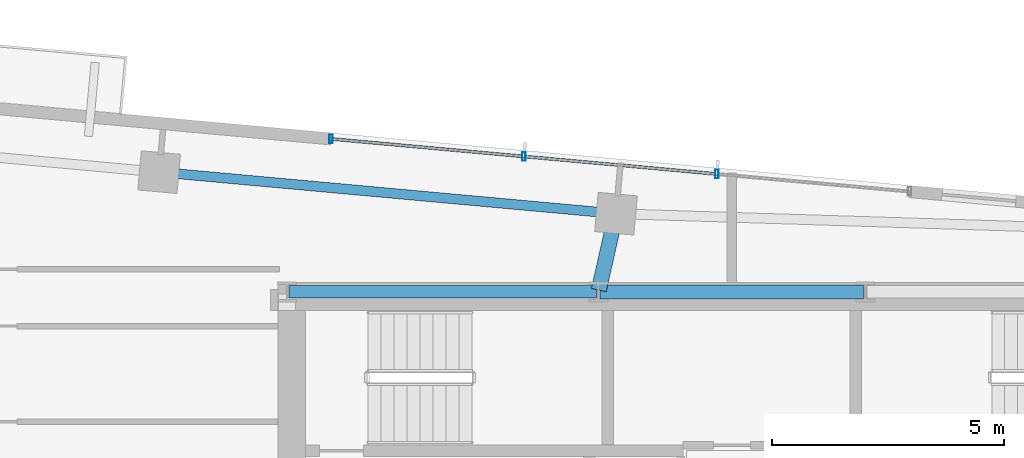
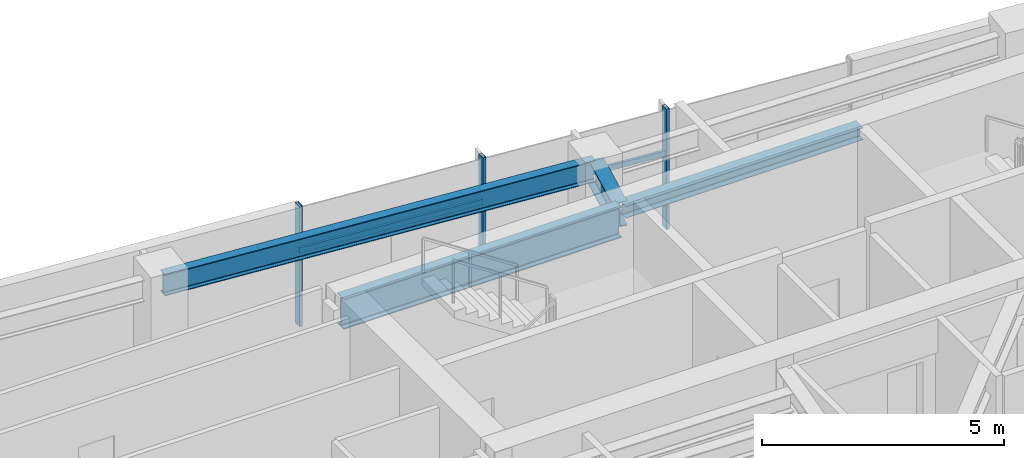
# One storey, part 10 of 22: 5 members, 4 beams, 1 element without a shape of its own.
"""IFC4 building model written with IfcOpenShell, lengths in metres."""

from ifc_helpers import new_model, si_unit, direction, frame, origin, origin_2d, place, context, subcontext, project, spatial, hollow_rectangle, i_section, extrude, source, transform, mapped, material, material_profile, profile_set, type_object, type_shapes, element, aggregate, save


model = new_model("IFC4")

# Units and contexts
model_context = context("Model", 3, precision=1e-05, world=origin(), true_north=direction((0.0, 1.0)))
body_context = subcontext(model_context, "Body", "Model", "MODEL_VIEW")
ifc_project = project(units=[si_unit("LENGTHUNIT", "METRE"), si_unit("AREAUNIT", "SQUARE_METRE"), si_unit("VOLUMEUNIT", "CUBIC_METRE"), si_unit("PLANEANGLEUNIT", "RADIAN"), si_unit("MASSUNIT", "GRAM", prefix="KILO")], contexts=[model_context])

# Site, building, storey
site_placement = place(None, origin())
site = spatial("IfcSite", under=ifc_project, at=site_placement, CompositionType="ELEMENT")
building_placement = place(site_placement, origin())
building = spatial("IfcBuilding", under=site, at=building_placement, Name="Astriad Promenade Condominiums", CompositionType="ELEMENT")
storey_placement = place(building_placement, frame((0.0, 0.0, 243.0)))
storey = spatial("IfcBuildingStorey", under=building, at=storey_placement, Name="L70", CompositionType="ELEMENT", Elevation=243.0)

# Beams
ifc_material_1 = material(Name="Steel ASTM A992 Grade 50", Category="steel")
ifc_material_profile_1 = material_profile(ifc_material_1, i_section(OverallWidth=0.267822265625, OverallDepth=0.76953125, WebThickness=0.015625, FlangeThickness=0.025390625, FilletRadius=0.021484375, at=origin_2d()), Name="W30X132")
ifc_profile_set_1 = profile_set([ifc_material_profile_1], Name="Steel ASTM A992 Grade 50")
beam_type_1 = type_object("IfcBeamType", Name="STEEL FLOOR GIRDER W30X132", PredefinedType="BEAM", material=ifc_profile_set_1)
shared_shape_1 = source(origin(), body_context, "Body", "SweptSolid", [
    extrude(i_section(OverallWidth=0.267822265625, OverallDepth=0.76953125, WebThickness=0.015625, FlangeThickness=0.025390625, FilletRadius=0.021484375, at=origin_2d()), origin(), (0.0, 0.0, 1.0), 6.64013671875),
])
type_shapes(beam_type_1, [shared_shape_1])
beam_1_placement = place(storey_placement, frame((26.43994140625, 24.0, 2.6552734375), z_axis=(1.0, 0.0, 0.0), x_axis=(0.0, 1.0, 0.0)))
element("IfcBeam", 1, at=beam_1_placement, inside=storey, type_object=beam_type_1, Name="Core Ring Beam CG-N1-L70", PredefinedType="BEAM", context=body_context, shape_type="MappedRepresentation", body=[
    mapped(shared_shape_1, transform((0.0, 0.0, 0.0), scale=1.0)),
])
ifc_material_profile_2 = material_profile(ifc_material_1, i_section(OverallWidth=0.3046875, OverallDepth=0.307861328125, WebThickness=0.010009765625, FlangeThickness=0.015380859375, FilletRadius=0.01513671875, at=origin_2d()), Name="W12X65")
ifc_profile_set_2 = profile_set([ifc_material_profile_2], Name="Steel ASTM A992 Grade 50")
beam_type_2 = type_object("IfcBeamType", Name="STEEL OPENING LINTEL W12X65", PredefinedType="LINTEL", material=ifc_profile_set_2)
shared_shape_2 = source(origin(), body_context, "Body", "SweptSolid", [
    extrude(i_section(OverallWidth=0.3046875, OverallDepth=0.307861328125, WebThickness=0.010009765625, FlangeThickness=0.015380859375, FilletRadius=0.01513671875, at=origin_2d()), origin(), (0.0, 0.0, 1.0), 5.68017578125),
])
type_shapes(beam_type_2, [shared_shape_2])
beam_2_placement = place(storey_placement, frame((33.159912109375, 24.0, 2.885986328125), z_axis=(1.0, 0.0, 0.0), x_axis=(0.0, 1.0, 0.0)))
element("IfcBeam", 2, at=beam_2_placement, inside=storey, type_object=beam_type_2, Name="Core Ring Beam CG-N2-L70", PredefinedType="LINTEL", context=body_context, shape_type="MappedRepresentation", body=[
    mapped(shared_shape_2, transform((0.0, 0.0, 0.0), scale=1.0)),
])
ifc_material_profile_3 = material_profile(ifc_material_1, i_section(OverallWidth=0.210693359375, OverallDepth=0.53955078125, WebThickness=0.01171875, FlangeThickness=0.018798828125, FilletRadius=0.0166015625, at=origin_2d()), Name="W21X73")
ifc_profile_set_3 = profile_set([ifc_material_profile_3], Name="Steel ASTM A992 Grade 50")
beam_type_3 = type_object("IfcBeamType", Name="STEEL SPANDREL BEAM W21X73", PredefinedType="SPANDREL", material=ifc_profile_set_3)
shared_shape_3 = source(origin(), body_context, "Body", "SweptSolid", [
    extrude(i_section(OverallWidth=0.210693359375, OverallDepth=0.53955078125, WebThickness=0.01171875, FlangeThickness=0.018798828125, FilletRadius=0.0166015625, at=origin_2d()), origin(), (0.0, 0.0, 1.0), 9.820068359375),
])
type_shapes(beam_type_3, [shared_shape_3])
beam_3_placement = place(storey_placement, frame((33.4599609375, 25.69189453125, 2.770263671875), z_axis=(-0.995885663174, 0.090618683965, 0.0), x_axis=(-0.090618683965, -0.995885663174, 0.0)))
element("IfcBeam", 3, at=beam_3_placement, inside=storey, type_object=beam_type_3, Name="Perimeter Spandrel Beam SP-N2-L70", PredefinedType="SPANDREL", context=body_context, shape_type="MappedRepresentation", body=[
    mapped(shared_shape_3, transform((0.0, 0.0, 0.0), scale=1.0)),
])
ifc_material_profile_4 = material_profile(ifc_material_1, i_section(OverallWidth=0.326416015625, OverallDepth=0.621826171875, WebThickness=0.015380859375, FlangeThickness=0.0244140625, FilletRadius=0.017822265625, at=origin_2d()), Name="W24X131")
ifc_profile_set_4 = profile_set([ifc_material_profile_4], Name="Steel ASTM A992 Grade 50")
beam_type_4 = type_object("IfcBeamType", Name="STEEL FLOOR GIRDER W24X131", PredefinedType="BEAM", material=ifc_profile_set_4)
shared_shape_4 = source(origin(), body_context, "Body", "SweptSolid", [
    extrude(i_section(OverallWidth=0.326416015625, OverallDepth=0.621826171875, WebThickness=0.015380859375, FlangeThickness=0.0244140625, FilletRadius=0.017822265625, at=origin_2d()), origin(), (0.0, 0.0, 1.0), 1.650390625),
])
type_shapes(beam_type_4, [shared_shape_4])
beam_4_placement = place(storey_placement, frame((33.490966796875, 25.649169921875, 2.72900390625), z_axis=(-0.219388986766, -0.975637469804, 0.0), x_axis=(0.975637469804, -0.219388986766, 0.0)))
element("IfcBeam", 4, at=beam_4_placement, inside=storey, type_object=beam_type_4, Name="Primary Floor Girder PG-NC-L70", PredefinedType="BEAM", context=body_context, shape_type="MappedRepresentation", body=[
    mapped(shared_shape_4, transform((0.0, 0.0, 0.0), scale=1.0)),
])

# Curtain wall, members
ifc_material_2 = material(Name="Anodised aluminium Black Dark Glass Unitised", Category="aluminium")
curtain_wall_type = type_object("IfcCurtainWallType", Name="CW-B5-DARK", PredefinedType="USERDEFINED", material=ifc_material_2)
curtain_wall_placement = place(storey_placement, origin())
curtain_wall = element("IfcCurtainWall", 5, at=curtain_wall_placement, inside=storey, type_object=curtain_wall_type, Name="CW-L70-N", ObjectType="UNITISED_CURTAIN_WALL", PredefinedType="USERDEFINED")
ifc_material_3 = material(Name="Anodised aluminium 6063-T6 Black", Category="aluminium")
ifc_material_profile_5 = material_profile(ifc_material_3, hollow_rectangle(XDim=0.06494140625, YDim=0.1298828125, WallThickness=0.00390625, at=origin_2d()), Name="ALU-TRN-65X130")
ifc_profile_set_5 = profile_set([ifc_material_profile_5], Name="Anodised aluminium 6063-T6 Black")
member_type_1 = type_object("IfcMemberType", Name="TRN-ALU-TRN-65X130", PredefinedType="USERDEFINED", material=ifc_profile_set_5)
shared_shape_5 = source(origin(), body_context, "Body", "SweptSolid", [
    extrude(hollow_rectangle(XDim=0.06494140625, YDim=0.1298828125, WallThickness=0.00390625, at=origin_2d()), origin(), (0.0, 0.0, 1.0), 4.179931640625),
])
type_shapes(member_type_1, [shared_shape_5])
member_1_placement = place(storey_placement, frame((27.3505859375, 27.30224609375, 1.884765625), z_axis=(0.995883146811, -0.090646334165, 0.0), x_axis=(0.090646334165, 0.995883146811, 0.0)))
member_1 = element("IfcMember", 6, at=member_1_placement, type_object=member_type_1, Name="CW-L70-N-TRN-00-0", ObjectType="TRANSOM", PredefinedType="USERDEFINED", context=body_context, shape_type="MappedRepresentation", body=[
    mapped(shared_shape_5, transform((0.0, 0.0, 0.0), scale=1.0)),
])
member_2_placement = place(storey_placement, frame((31.513427734375, 26.92333984375, 1.884765625), z_axis=(0.995883146811, -0.090646334165, 0.0), x_axis=(0.090646334165, 0.995883146811, 0.0)))
member_2 = element("IfcMember", 7, at=member_2_placement, type_object=member_type_1, Name="CW-L70-N-TRN-01-0", ObjectType="TRANSOM", PredefinedType="USERDEFINED", context=body_context, shape_type="MappedRepresentation", body=[
    mapped(shared_shape_5, transform((0.0, 0.0, 0.0), scale=1.0)),
])
ifc_material_profile_6 = material_profile(ifc_material_3, hollow_rectangle(XDim=0.074951171875, YDim=0.18505859375, WallThickness=0.00439453125, at=origin_2d()), Name="ALU-MUL-75X185")
ifc_profile_set_6 = profile_set([ifc_material_profile_6], Name="Anodised aluminium 6063-T6 Black")
member_type_2 = type_object("IfcMemberType", Name="MUL-ALU-MUL-75X185", PredefinedType="MULLION", material=ifc_profile_set_6)
shared_shape_6 = source(origin(), body_context, "Body", "SweptSolid", [
    extrude(hollow_rectangle(XDim=0.074951171875, YDim=0.18505859375, WallThickness=0.00439453125, at=origin_2d()), origin(), (0.0, 0.0, 1.0), 3.0400390625),
])
type_shapes(member_type_2, [shared_shape_6])
member_3_placement = place(storey_placement, frame((27.3505859375, 27.30224609375, 0.0), z_axis=(0.0, 0.0, 1.0), x_axis=(1.0, 0.0, 0.0)))
member_3 = element("IfcMember", 8, at=member_3_placement, type_object=member_type_2, Name="CW-L70-N-MUL-00", PredefinedType="MULLION", context=body_context, shape_type="MappedRepresentation", body=[
    mapped(shared_shape_6, transform((0.0, 0.0, 0.0), scale=1.0)),
])
member_4_placement = place(storey_placement, frame((31.513427734375, 26.92333984375, 0.0), z_axis=(0.0, 0.0, 1.0), x_axis=(1.0, 0.0, 0.0)))
member_4 = element("IfcMember", 9, at=member_4_placement, type_object=member_type_2, Name="CW-L70-N-MUL-01", PredefinedType="MULLION", context=body_context, shape_type="MappedRepresentation", body=[
    mapped(shared_shape_6, transform((0.0, 0.0, 0.0), scale=1.0)),
])
member_5_placement = place(storey_placement, frame((35.67626953125, 26.54443359375, 0.0), z_axis=(0.0, 0.0, 1.0), x_axis=(1.0, 0.0, 0.0)))
member_5 = element("IfcMember", 10, at=member_5_placement, type_object=member_type_2, Name="CW-L70-N-MUL-02", PredefinedType="MULLION", context=body_context, shape_type="MappedRepresentation", body=[
    mapped(shared_shape_6, transform((0.0, 0.0, 0.0), scale=1.0)),
])
aggregate(curtain_wall, [member_3, member_4, member_5, member_1, member_2])

save(model, "model.ifc")
